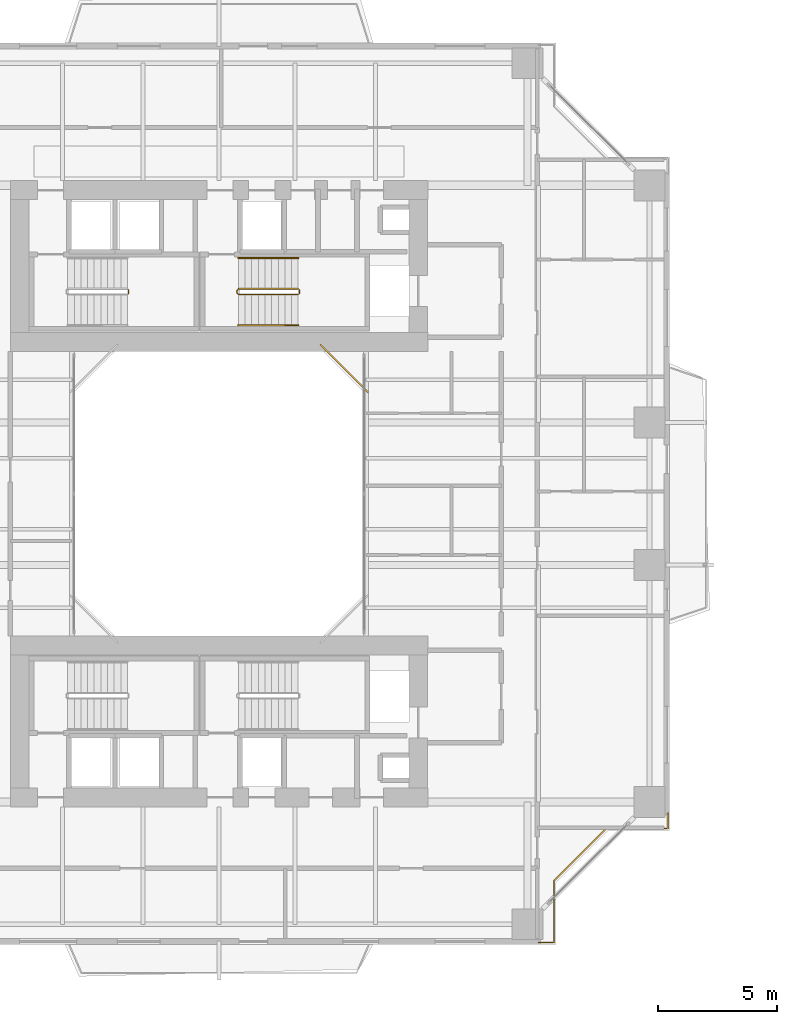
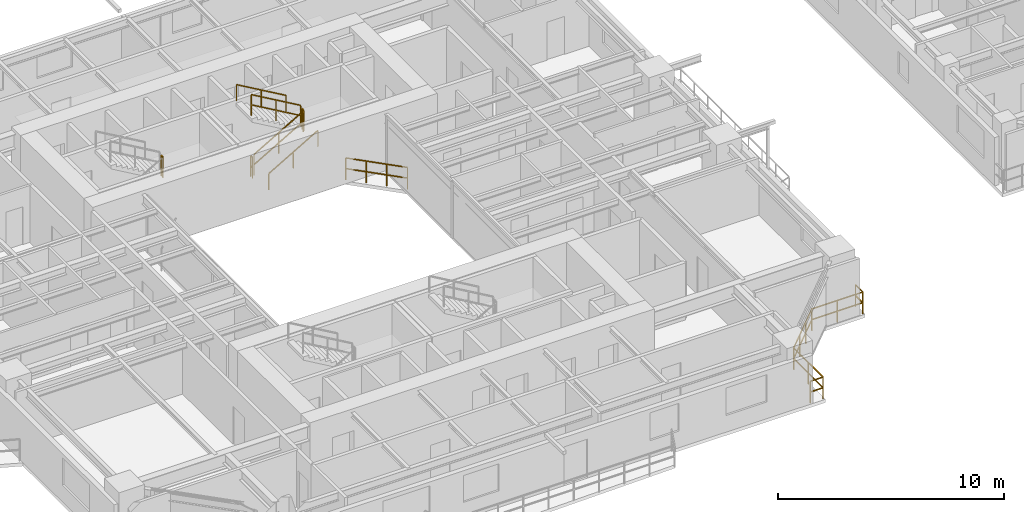
# One storey, part 21 of 23: 9 railings.
"""IFC4 building model written with IfcOpenShell, lengths in metres."""

from ifc_helpers import new_model, si_unit, direction, frame, origin, origin_2d, place, context, subcontext, project, spatial, rectangle, extrude, material, type_object, element, save


model = new_model("IFC4")

# Units and contexts
model_context = context("Model", 3, precision=1e-05, world=origin(), true_north=direction((0.0, 1.0)))
body_context = subcontext(model_context, "Body", "Model", "MODEL_VIEW")
ifc_project = project(units=[si_unit("LENGTHUNIT", "METRE"), si_unit("AREAUNIT", "SQUARE_METRE"), si_unit("VOLUMEUNIT", "CUBIC_METRE"), si_unit("PLANEANGLEUNIT", "RADIAN"), si_unit("MASSUNIT", "GRAM", prefix="KILO"), si_unit("THERMODYNAMICTEMPERATUREUNIT", "KELVIN"), si_unit("POWERUNIT", "WATT")], contexts=[model_context])

# Site, building, storey
site_placement = place(None, origin())
site = spatial("IfcSite", under=ifc_project, at=site_placement, CompositionType="ELEMENT")
building_placement = place(site_placement, origin())
building = spatial("IfcBuilding", under=site, at=building_placement, Name="Qiaomeng Ring Towers", CompositionType="ELEMENT")
storey_placement = place(building_placement, frame((0.0, 0.0, 79.5)))
storey = spatial("IfcBuildingStorey", under=building, at=storey_placement, Name="L22", CompositionType="ELEMENT", Elevation=79.5)

# Railings
ifc_material_1 = material(Name="Low-E pale-green laminated safety glass", Category="glass")
railing_type_1 = type_object("IfcRailingType", Name="ARC-RL-BAL1", PredefinedType="BALUSTRADE", material=ifc_material_1)
railing_1_placement = place(storey_placement, frame((25.280029296875, 27.280029296875, 0.0)))
element("IfcRailing", 1, at=railing_1_placement, inside=storey, type_object=railing_type_1, Name="L22 Balustrade ARC-BAL-WELL1-L22-2", PredefinedType="BALUSTRADE", context=body_context, shape_type="SweptSolid", body=[
    extrude(rectangle(XDim=0.048095703125, YDim=0.048095703125, at=origin_2d()), frame((0.0, 0.0, 1.17578125), z_axis=(-0.707106781187, 0.707106781187, 0.0), x_axis=(-0.707106781187, -0.707106781187, 0.0)), (0.0, 0.0, 1.0), 2.828369140625),
    extrude(rectangle(XDim=0.048095703125, YDim=0.048095703125, at=origin_2d()), frame((0.0, 0.0, 0.60009765625), z_axis=(-0.707106781187, 0.707106781187, 0.0), x_axis=(-0.707106781187, -0.707106781187, 0.0)), (0.0, 0.0, 1.0), 2.828369140625),
    extrude(rectangle(XDim=0.0419921875, YDim=0.0419921875, at=origin_2d()), origin(), (0.0, 0.0, 1.0), 1.15185546875),
    extrude(rectangle(XDim=0.0419921875, YDim=0.0419921875, at=origin_2d()), frame((-0.666748046875, 0.666748046875, 0.0)), (0.0, 0.0, 1.0), 1.15185546875),
    extrude(rectangle(XDim=0.0419921875, YDim=0.0419921875, at=origin_2d()), frame((-1.333251953125, 1.333251953125, 0.0)), (0.0, 0.0, 1.0), 1.15185546875),
    extrude(rectangle(XDim=0.0419921875, YDim=0.0419921875, at=origin_2d()), frame((-2.0, 2.0, 0.0)), (0.0, 0.0, 1.0), 1.15185546875),
])
railing_2_placement = place(storey_placement, frame((32.469970703125, 4.080078125, 0.0)))
element("IfcRailing", 2, at=railing_2_placement, inside=storey, type_object=railing_type_1, Name="L22 Balustrade ARC-BAL-NOTCH1-L22-SE", PredefinedType="BALUSTRADE", context=body_context, shape_type="SweptSolid", body=[
    extrude(rectangle(XDim=0.048095703125, YDim=0.048095703125, at=origin_2d()), frame((0.0, 0.0, 1.17578125), z_axis=(1.0, 0.0, 0.0), x_axis=(0.0, 1.0, 0.0)), (0.0, 0.0, 1.0), 0.650146484375),
    extrude(rectangle(XDim=0.048095703125, YDim=0.048095703125, at=origin_2d()), frame((0.0, 0.0, 0.60009765625), z_axis=(1.0, 0.0, 0.0), x_axis=(0.0, 1.0, 0.0)), (0.0, 0.0, 1.0), 0.650146484375),
    extrude(rectangle(XDim=0.048095703125, YDim=0.048095703125, at=origin_2d()), frame((0.650146484375, 0.0, 1.17578125), z_axis=(0.0, 1.0, 0.0), x_axis=(-1.0, 0.0, 0.0)), (0.0, 0.0, 1.0), 2.599853515625),
    extrude(rectangle(XDim=0.048095703125, YDim=0.048095703125, at=origin_2d()), frame((0.650146484375, 0.0, 0.60009765625), z_axis=(0.0, 1.0, 0.0), x_axis=(-1.0, 0.0, 0.0)), (0.0, 0.0, 1.0), 2.599853515625),
    extrude(rectangle(XDim=0.048095703125, YDim=0.048095703125, at=origin_2d()), frame((0.650146484375, 2.599853515625, 1.17578125), z_axis=(0.707106781187, 0.707106781187, 0.0), x_axis=(-0.707106781187, 0.707106781187, 0.0)), (0.0, 0.0, 1.0), 3.111083984375),
    extrude(rectangle(XDim=0.048095703125, YDim=0.048095703125, at=origin_2d()), frame((0.650146484375, 2.599853515625, 0.60009765625), z_axis=(0.707106781187, 0.707106781187, 0.0), x_axis=(-0.707106781187, 0.707106781187, 0.0)), (0.0, 0.0, 1.0), 3.111083984375),
    extrude(rectangle(XDim=0.048095703125, YDim=0.048095703125, at=origin_2d()), frame((2.85009765625, 4.7998046875, 1.17578125), z_axis=(1.0, 0.0, 0.0), x_axis=(0.0, 1.0, 0.0)), (0.0, 0.0, 1.0), 2.599853515625),
    extrude(rectangle(XDim=0.048095703125, YDim=0.048095703125, at=origin_2d()), frame((2.85009765625, 4.7998046875, 0.60009765625), z_axis=(1.0, 0.0, 0.0), x_axis=(0.0, 1.0, 0.0)), (0.0, 0.0, 1.0), 2.599853515625),
    extrude(rectangle(XDim=0.048095703125, YDim=0.048095703125, at=origin_2d()), frame((5.449951171875, 4.7998046875, 1.17578125), z_axis=(0.0, 1.0, 0.0), x_axis=(-1.0, 0.0, 0.0)), (0.0, 0.0, 1.0), 0.650146484375),
    extrude(rectangle(XDim=0.048095703125, YDim=0.048095703125, at=origin_2d()), frame((5.449951171875, 4.7998046875, 0.60009765625), z_axis=(0.0, 1.0, 0.0), x_axis=(-1.0, 0.0, 0.0)), (0.0, 0.0, 1.0), 0.650146484375),
    extrude(rectangle(XDim=0.0419921875, YDim=0.0419921875, at=origin_2d()), origin(), (0.0, 0.0, 1.0), 1.15185546875),
    extrude(rectangle(XDim=0.0419921875, YDim=0.0419921875, at=origin_2d()), frame((0.650146484375, 0.0, 0.0)), (0.0, 0.0, 1.0), 1.15185546875),
    extrude(rectangle(XDim=0.0419921875, YDim=0.0419921875, at=origin_2d()), frame((0.650146484375, 1.2998046875, 0.0)), (0.0, 0.0, 1.0), 1.15185546875),
    extrude(rectangle(XDim=0.0419921875, YDim=0.0419921875, at=origin_2d()), frame((0.650146484375, 2.599853515625, 0.0)), (0.0, 0.0, 1.0), 1.15185546875),
    extrude(rectangle(XDim=0.0419921875, YDim=0.0419921875, at=origin_2d()), frame((1.383544921875, 3.333251953125, 0.0)), (0.0, 0.0, 1.0), 1.15185546875),
    extrude(rectangle(XDim=0.0419921875, YDim=0.0419921875, at=origin_2d()), frame((2.11669921875, 4.06640625, 0.0)), (0.0, 0.0, 1.0), 1.15185546875),
    extrude(rectangle(XDim=0.0419921875, YDim=0.0419921875, at=origin_2d()), frame((2.85009765625, 4.7998046875, 0.0)), (0.0, 0.0, 1.0), 1.15185546875),
    extrude(rectangle(XDim=0.0419921875, YDim=0.0419921875, at=origin_2d()), frame((4.14990234375, 4.7998046875, 0.0)), (0.0, 0.0, 1.0), 1.15185546875),
    extrude(rectangle(XDim=0.0419921875, YDim=0.0419921875, at=origin_2d()), frame((5.449951171875, 4.7998046875, 0.0)), (0.0, 0.0, 1.0), 1.15185546875),
    extrude(rectangle(XDim=0.0419921875, YDim=0.0419921875, at=origin_2d()), frame((5.449951171875, 5.449951171875, 0.0)), (0.0, 0.0, 1.0), 1.15185546875),
])
ifc_material_2 = material(Name="Galvanised steel", Category="steel")
railing_type_2 = type_object("IfcRailingType", Name="ARC-RL-GUARD", PredefinedType="GUARDRAIL", material=ifc_material_2)
railing_3_placement = place(storey_placement, frame((15.18994140625, 31.449951171875, 1.625)))
element("IfcRailing", 3, at=railing_3_placement, inside=storey, type_object=railing_type_2, Name="L22 ST1 stair guard 2", PredefinedType="GUARDRAIL", context=body_context, shape_type="SweptSolid", body=[
    extrude(rectangle(XDim=0.048095703125, YDim=0.048095703125, at=origin_2d()), frame((0.0, 0.0, 1.1259765625), z_axis=(0.0, 1.0, 0.0), x_axis=(-1.0, 0.0, 0.0)), (0.0, 0.0, 1.0), 0.14013671875),
    extrude(rectangle(XDim=0.048095703125, YDim=0.048095703125, at=origin_2d()), frame((0.0, 0.0, 0.574951171875), z_axis=(0.0, 1.0, 0.0), x_axis=(-1.0, 0.0, 0.0)), (0.0, 0.0, 1.0), 0.14013671875),
    extrude(rectangle(XDim=0.0419921875, YDim=0.0419921875, at=origin_2d()), origin(), (0.0, 0.0, 1.0), 1.101806640625),
    extrude(rectangle(XDim=0.0419921875, YDim=0.0419921875, at=origin_2d()), frame((0.0, 0.14013671875, 0.0)), (0.0, 0.0, 1.0), 1.101806640625),
])
railing_4_placement = place(storey_placement, frame((19.820068359375, 31.39990234375, 0.16259765625)))
element("IfcRailing", 4, at=railing_4_placement, inside=storey, type_object=railing_type_2, Name="L22 ST2 stair guard 1", PredefinedType="GUARDRAIL", context=body_context, shape_type="SweptSolid", body=[
    extrude(rectangle(XDim=0.048095703125, YDim=0.048095703125, at=origin_2d()), frame((0.0, 0.0, 1.1259765625), z_axis=(0.864913338283, 0.0, 0.50192122615), x_axis=(0.0, 1.0, 0.0)), (0.0, 0.0, 1.0), 2.91357421875),
    extrude(rectangle(XDim=0.048095703125, YDim=0.048095703125, at=origin_2d()), frame((0.0, 0.0, 0.574951171875), z_axis=(0.864913338283, 0.0, 0.50192122615), x_axis=(0.0, 1.0, 0.0)), (0.0, 0.0, 1.0), 2.91357421875),
    extrude(rectangle(XDim=0.0419921875, YDim=0.0419921875, at=origin_2d()), origin(), (0.0, 0.0, 1.0), 1.101806640625),
    extrude(rectangle(XDim=0.0419921875, YDim=0.0419921875, at=origin_2d()), frame((1.260009765625, 0.0, 0.731201171875)), (0.0, 0.0, 1.0), 1.101806640625),
    extrude(rectangle(XDim=0.0419921875, YDim=0.0419921875, at=origin_2d()), frame((2.52001953125, 0.0, 1.46240234375)), (0.0, 0.0, 1.0), 1.101806640625),
])
railing_5_placement = place(storey_placement, frame((22.389892578125, 31.449951171875, 1.625)))
element("IfcRailing", 5, at=railing_5_placement, inside=storey, type_object=railing_type_2, Name="L22 ST2 stair guard 2", PredefinedType="GUARDRAIL", context=body_context, shape_type="SweptSolid", body=[
    extrude(rectangle(XDim=0.048095703125, YDim=0.048095703125, at=origin_2d()), frame((0.0, 0.0, 1.1259765625), z_axis=(0.0, 1.0, 0.0), x_axis=(-1.0, 0.0, 0.0)), (0.0, 0.0, 1.0), 0.14013671875),
    extrude(rectangle(XDim=0.048095703125, YDim=0.048095703125, at=origin_2d()), frame((0.0, 0.0, 0.574951171875), z_axis=(0.0, 1.0, 0.0), x_axis=(-1.0, 0.0, 0.0)), (0.0, 0.0, 1.0), 0.14013671875),
    extrude(rectangle(XDim=0.0419921875, YDim=0.0419921875, at=origin_2d()), origin(), (0.0, 0.0, 1.0), 1.101806640625),
    extrude(rectangle(XDim=0.0419921875, YDim=0.0419921875, at=origin_2d()), frame((0.0, 0.14013671875, 0.0)), (0.0, 0.0, 1.0), 1.101806640625),
])
railing_6_placement = place(storey_placement, frame((22.340087890625, 31.639892578125, 1.78759765625)))
element("IfcRailing", 6, at=railing_6_placement, inside=storey, type_object=railing_type_2, Name="L22 ST2 stair guard 3", PredefinedType="GUARDRAIL", context=body_context, shape_type="SweptSolid", body=[
    extrude(rectangle(XDim=0.048095703125, YDim=0.048095703125, at=origin_2d()), frame((0.0, 0.0, 1.1259765625), z_axis=(-0.864913338283, 0.0, 0.50192122615), x_axis=(0.0, -1.0, 0.0)), (0.0, 0.0, 1.0), 2.91357421875),
    extrude(rectangle(XDim=0.048095703125, YDim=0.048095703125, at=origin_2d()), frame((0.0, 0.0, 0.574951171875), z_axis=(-0.864913338283, 0.0, 0.50192122615), x_axis=(0.0, -1.0, 0.0)), (0.0, 0.0, 1.0), 2.91357421875),
    extrude(rectangle(XDim=0.0419921875, YDim=0.0419921875, at=origin_2d()), origin(), (0.0, 0.0, 1.0), 1.101806640625),
    extrude(rectangle(XDim=0.0419921875, YDim=0.0419921875, at=origin_2d()), frame((-1.260009765625, 0.0, 0.731201171875)), (0.0, 0.0, 1.0), 1.101806640625),
    extrude(rectangle(XDim=0.0419921875, YDim=0.0419921875, at=origin_2d()), frame((-2.52001953125, 0.0, 1.46240234375)), (0.0, 0.0, 1.0), 1.101806640625),
])
railing_7_placement = place(storey_placement, frame((19.77001953125, 31.449951171875, 0.0)))
element("IfcRailing", 7, at=railing_7_placement, inside=storey, type_object=railing_type_2, Name="L22 ST2 stair guard 4", PredefinedType="GUARDRAIL", context=body_context, shape_type="SweptSolid", body=[
    extrude(rectangle(XDim=0.048095703125, YDim=0.048095703125, at=origin_2d()), frame((0.0, 0.0, 1.1259765625), z_axis=(0.0, 1.0, 0.0), x_axis=(-1.0, 0.0, 0.0)), (0.0, 0.0, 1.0), 0.14013671875),
    extrude(rectangle(XDim=0.048095703125, YDim=0.048095703125, at=origin_2d()), frame((0.0, 0.0, 0.574951171875), z_axis=(0.0, 1.0, 0.0), x_axis=(-1.0, 0.0, 0.0)), (0.0, 0.0, 1.0), 0.14013671875),
    extrude(rectangle(XDim=0.0419921875, YDim=0.0419921875, at=origin_2d()), origin(), (0.0, 0.0, 1.0), 1.101806640625),
    extrude(rectangle(XDim=0.0419921875, YDim=0.0419921875, at=origin_2d()), frame((0.0, 0.14013671875, 0.0)), (0.0, 0.0, 1.0), 1.101806640625),
])
ifc_material_3 = material(Name="Stainless steel 316", Category="steel")
railing_type_3 = type_object("IfcRailingType", Name="ARC-RL-HAND", PredefinedType="HANDRAIL", material=ifc_material_3)
railing_8_placement = place(storey_placement, frame((19.820068359375, 30.10009765625, 0.16259765625)))
element("IfcRailing", 8, at=railing_8_placement, inside=storey, type_object=railing_type_3, Name="L22 ST2 stair handrail 1", PredefinedType="HANDRAIL", context=body_context, shape_type="SweptSolid", body=[
    extrude(rectangle(XDim=0.048095703125, YDim=0.048095703125, at=origin_2d()), frame((0.0, 0.0, 0.8759765625), z_axis=(0.864913338283, 0.0, 0.50192122615), x_axis=(0.0, 1.0, 0.0)), (0.0, 0.0, 1.0), 2.91357421875),
    extrude(rectangle(XDim=0.0419921875, YDim=0.0419921875, at=origin_2d()), origin(), (0.0, 0.0, 1.0), 0.851806640625),
    extrude(rectangle(XDim=0.0419921875, YDim=0.0419921875, at=origin_2d()), frame((1.260009765625, 0.0, 0.731201171875)), (0.0, 0.0, 1.0), 0.851806640625),
    extrude(rectangle(XDim=0.0419921875, YDim=0.0419921875, at=origin_2d()), frame((2.52001953125, 0.0, 1.46240234375)), (0.0, 0.0, 1.0), 0.851806640625),
])
railing_9_placement = place(storey_placement, frame((22.340087890625, 32.93994140625, 1.78759765625)))
element("IfcRailing", 9, at=railing_9_placement, inside=storey, type_object=railing_type_3, Name="L22 ST2 stair handrail 2", PredefinedType="HANDRAIL", context=body_context, shape_type="SweptSolid", body=[
    extrude(rectangle(XDim=0.048095703125, YDim=0.048095703125, at=origin_2d()), frame((0.0, 0.0, 0.8759765625), z_axis=(-0.864913338283, 0.0, 0.50192122615), x_axis=(0.0, -1.0, 0.0)), (0.0, 0.0, 1.0), 2.91357421875),
    extrude(rectangle(XDim=0.0419921875, YDim=0.0419921875, at=origin_2d()), origin(), (0.0, 0.0, 1.0), 0.851806640625),
    extrude(rectangle(XDim=0.0419921875, YDim=0.0419921875, at=origin_2d()), frame((-1.260009765625, 0.0, 0.731201171875)), (0.0, 0.0, 1.0), 0.851806640625),
    extrude(rectangle(XDim=0.0419921875, YDim=0.0419921875, at=origin_2d()), frame((-2.52001953125, 0.0, 1.46240234375)), (0.0, 0.0, 1.0), 0.851806640625),
])

save(model, "model.ifc")
